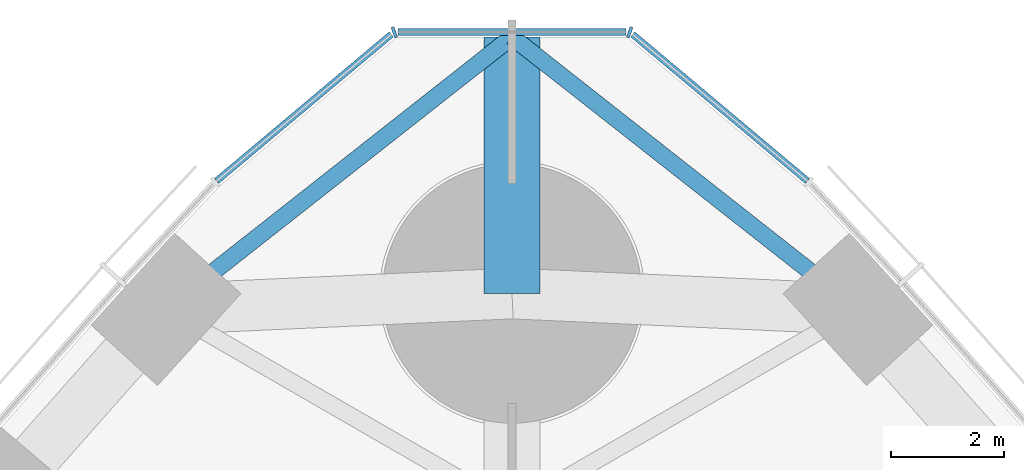
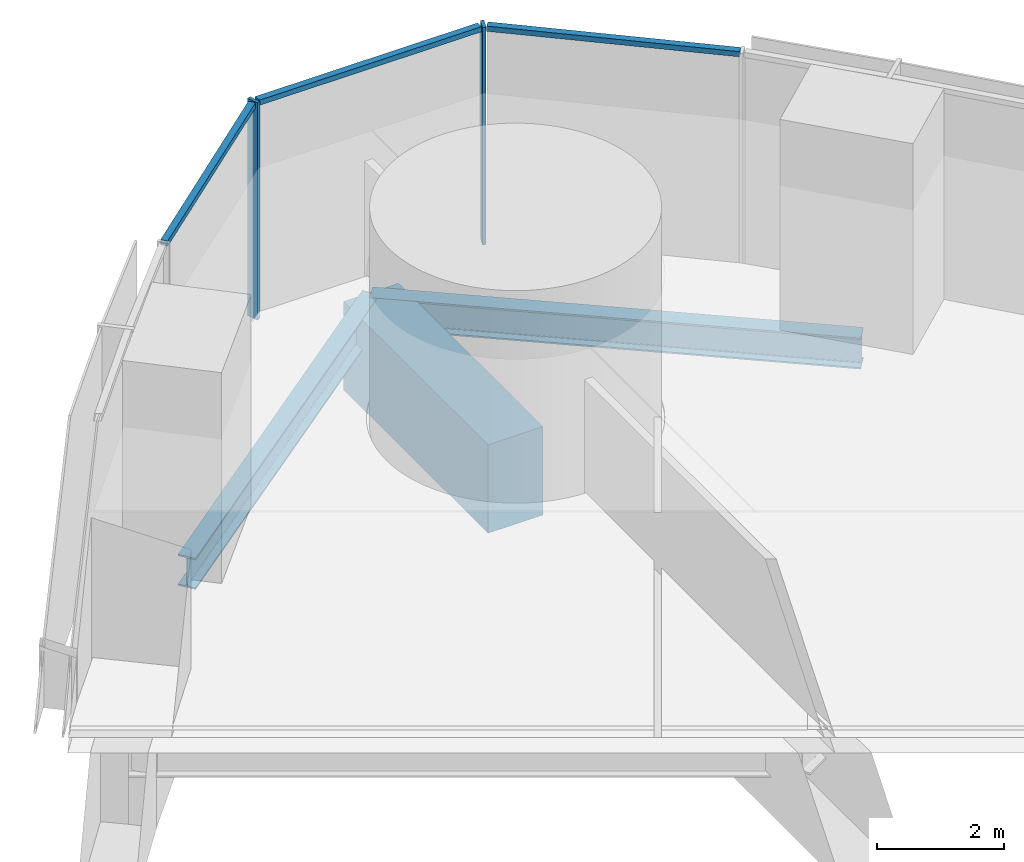
# One storey, part 8 of 18: 5 members, 3 beams, 1 element without a shape of its own.
"""IFC4 building model written with IfcOpenShell, lengths in metres."""

from ifc_helpers import new_model, si_unit, direction, frame, origin, origin_2d, place, context, subcontext, project, spatial, rectangle, i_section, extrude, material, material_profile, profile_set, type_object, element, aggregate, save


model = new_model("IFC4")

# Units and contexts
model_context = context("Model", 3, precision=1e-05, world=origin(), true_north=direction((0.0, 1.0)))
body_context = subcontext(model_context, "Body", "Model", "MODEL_VIEW")
ifc_project = project(units=[si_unit("LENGTHUNIT", "METRE"), si_unit("AREAUNIT", "SQUARE_METRE"), si_unit("VOLUMEUNIT", "CUBIC_METRE"), si_unit("PLANEANGLEUNIT", "RADIAN"), si_unit("MASSUNIT", "GRAM", prefix="KILO")], contexts=[model_context])

# Site, building, storey
site_placement = place(None, origin())
site = spatial("IfcSite", under=ifc_project, at=site_placement, CompositionType="ELEMENT")
building_placement = place(site_placement, origin())
building = spatial("IfcBuilding", under=site, at=building_placement, Name="Trefoil Bronze Tower", CompositionType="ELEMENT")
storey_placement = place(building_placement, frame((0.0, 0.0, 111.5)))
storey = spatial("IfcBuildingStorey", under=building, at=storey_placement, Name="L25", CompositionType="ELEMENT", Elevation=111.5)

# Curtain wall, members
ifc_material_1 = material(Name="Tinted solar-control glass", Category="glass")
curtain_wall_type = type_object("IfcCurtainWallType", Name="Bronze rounded corner curtain wall", PredefinedType="USERDEFINED", material=ifc_material_1)
curtain_wall_placement = place(storey_placement, origin())
curtain_wall = element("IfcCurtainWall", 1, at=curtain_wall_placement, inside=storey, type_object=curtain_wall_type, Name="CW-B L25 K2", ObjectType="CURTAIN WALL", PredefinedType="USERDEFINED")
ifc_material_2 = material(Name="Bronze-finish aluminium", Category="aluminium")
ifc_material_profile_1 = material_profile(ifc_material_2, rectangle(XDim=0.199951171875, YDim=0.06005859375, at=origin_2d()), Name="CW-B mullion")
ifc_profile_set_1 = profile_set([ifc_material_profile_1], Name="Bronze-finish aluminium")
member_type_1 = type_object("IfcMemberType", Name="Bronze rounded corner curtain wall mullion", PredefinedType="MULLION", material=ifc_profile_set_1)
member_1_placement = place(storey_placement, frame((2.08642578125, 39.631591796875, 0.0), z_axis=(0.0, 0.0, 1.0), x_axis=(-0.342020143326, -0.939692620786, 0.0)))
member_1 = element("IfcMember", 2, at=member_1_placement, type_object=member_type_1, Name="CW-B L25 K2 mullion 2", PredefinedType="MULLION", context=body_context, shape_type="SweptSolid", body=[
    extrude(rectangle(XDim=0.199951171875, YDim=0.06005859375, at=origin_2d()), origin(), (0.0, 0.0, 1.0), 4.179931640625),
])
member_2_placement = place(storey_placement, frame((-2.08642578125, 39.631591796875, 0.0), z_axis=(0.0, 0.0, 1.0), x_axis=(0.342020143326, -0.939692620786, 0.0)))
member_2 = element("IfcMember", 3, at=member_2_placement, type_object=member_type_1, Name="CW-B L25 K2 mullion 3", PredefinedType="MULLION", context=body_context, shape_type="SweptSolid", body=[
    extrude(rectangle(XDim=0.199951171875, YDim=0.06005859375, at=origin_2d()), origin(), (0.0, 0.0, 1.0), 4.179931640625),
])
ifc_material_3 = material(Name="Bronze-finish aluminium", Category="aluminium")
ifc_material_profile_2 = material_profile(ifc_material_3, rectangle(XDim=0.1201171875, YDim=0.10009765625, at=origin_2d()), Name="CW-B transom")
ifc_profile_set_2 = profile_set([ifc_material_profile_2], Name="Bronze-finish aluminium")
member_type_2 = type_object("IfcMemberType", Name="Bronze rounded corner curtain wall transom", PredefinedType="USERDEFINED", material=ifc_profile_set_2)
member_3_placement = place(storey_placement, frame((5.237548828125, 36.9951171875, 4.1298828125), z_axis=(-0.766049624684, 0.642781434487, 0.0), x_axis=(-0.642781434487, -0.766049624684, 0.0)))
member_3 = element("IfcMember", 4, at=member_3_placement, type_object=member_type_2, Name="CW-B L25 K2 transom 1", ObjectType="TRANSOM", PredefinedType="USERDEFINED", context=body_context, shape_type="SweptSolid", body=[
    extrude(rectangle(XDim=0.1201171875, YDim=0.10009765625, at=origin_2d()), origin(), (0.0, 0.0, 1.0), 4.04443359375),
])
member_4_placement = place(storey_placement, frame((2.022216796875, 39.637451171875, 4.1298828125), z_axis=(-1.0, 0.0, 0.0), x_axis=(0.0, -1.0, 0.0)))
member_4 = element("IfcMember", 5, at=member_4_placement, type_object=member_type_2, Name="CW-B L25 K2 transom 2", ObjectType="TRANSOM", PredefinedType="USERDEFINED", context=body_context, shape_type="SweptSolid", body=[
    extrude(rectangle(XDim=0.1201171875, YDim=0.10009765625, at=origin_2d()), origin(), (0.0, 0.0, 1.0), 4.04443359375),
])
member_5_placement = place(storey_placement, frame((-2.139404296875, 39.5947265625, 4.1298828125), z_axis=(-0.766049624684, -0.642781434487, 0.0), x_axis=(0.642781434487, -0.766049624684, 0.0)))
member_5 = element("IfcMember", 6, at=member_5_placement, type_object=member_type_2, Name="CW-B L25 K2 transom 3", ObjectType="TRANSOM", PredefinedType="USERDEFINED", context=body_context, shape_type="SweptSolid", body=[
    extrude(rectangle(XDim=0.1201171875, YDim=0.10009765625, at=origin_2d()), origin(), (0.0, 0.0, 1.0), 4.04443359375),
])
aggregate(curtain_wall, [member_1, member_2, member_3, member_4, member_5])

# Beams
ifc_material_4 = material(Name="Concrete B80", Category="concrete")
ifc_material_profile_3 = material_profile(ifc_material_4, rectangle(XDim=1.0, YDim=1.699951171875, at=origin_2d()), Name="RC 1000x1700")
ifc_profile_set_3 = profile_set([ifc_material_profile_3], Name="Concrete B80")
beam_type_1 = type_object("IfcBeamType", Name="Corner cantilever RC 1000x1700", PredefinedType="BEAM", material=ifc_profile_set_3)
beam_placement = place(storey_placement, frame((0.0, 35.0, -1.050048828125), z_axis=(0.0, 1.0, 0.0), x_axis=(-1.0, 0.0, 0.0)))
element("IfcBeam", 7, at=beam_placement, inside=storey, type_object=beam_type_1, Name="Corner cantilever K2 L25", PredefinedType="BEAM", context=body_context, shape_type="SweptSolid", body=[
    extrude(rectangle(XDim=1.0, YDim=1.699951171875, at=origin_2d()), origin(), (0.0, 0.0, 1.0), 4.54931640625),
])
ifc_material_5 = material(Name="Steel C355", Category="steel")
ifc_material_profile_4 = material_profile(ifc_material_5, i_section(OverallWidth=0.300048828125, OverallDepth=0.60009765625, WebThickness=0.015380859375, FlangeThickness=0.030029296875, FilletRadius=0.027099609375, at=origin_2d()), Name="HEB 600")
ifc_profile_set_4 = profile_set([ifc_material_profile_4], Name="Steel C355")
beam_type_2 = type_object("IfcBeamType", Name="Corner edge beam HEB 600", PredefinedType="BEAM", material=ifc_profile_set_4)
for number, where, z_axis, x_axis, name in (
    (8, (6.13916015625, 34.72119140625, -0.5), (-0.786038406433, 0.61817766347, 0.0), (-0.61817766347, -0.786038406433, 0.0), "Corner edge beam F2A L25"),
    (9, (-6.13916015625, 34.72119140625, -0.5), (0.786038406433, 0.61817766347, 0.0), (-0.61817766347, 0.786038406433, 0.0), "Corner edge beam F3B L25"),
):
    element("IfcBeam", number, at=place(storey_placement, frame(where, z_axis=z_axis, x_axis=x_axis)), inside=storey, type_object=beam_type_2, Name=name, PredefinedType="BEAM", context=body_context, shape_type="SweptSolid", body=[
        extrude(i_section(OverallWidth=0.300048828125, OverallDepth=0.60009765625, WebThickness=0.015380859375, FlangeThickness=0.030029296875, FilletRadius=0.027099609375, at=origin_2d()), origin(), (0.0, 0.0, 1.0), 7.810302734375),
    ])

save(model, "model.ifc")
